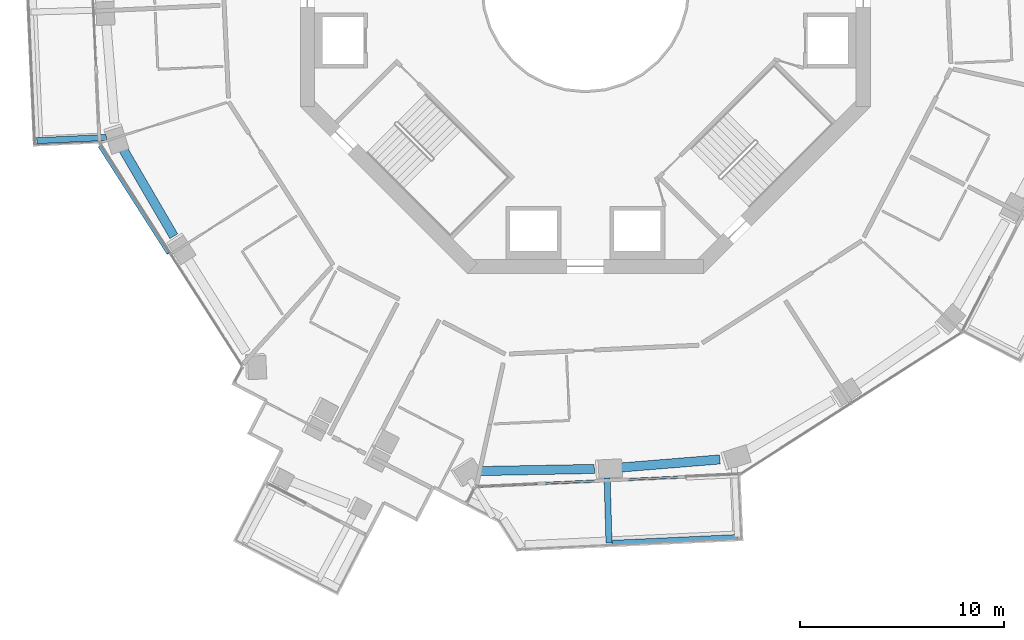
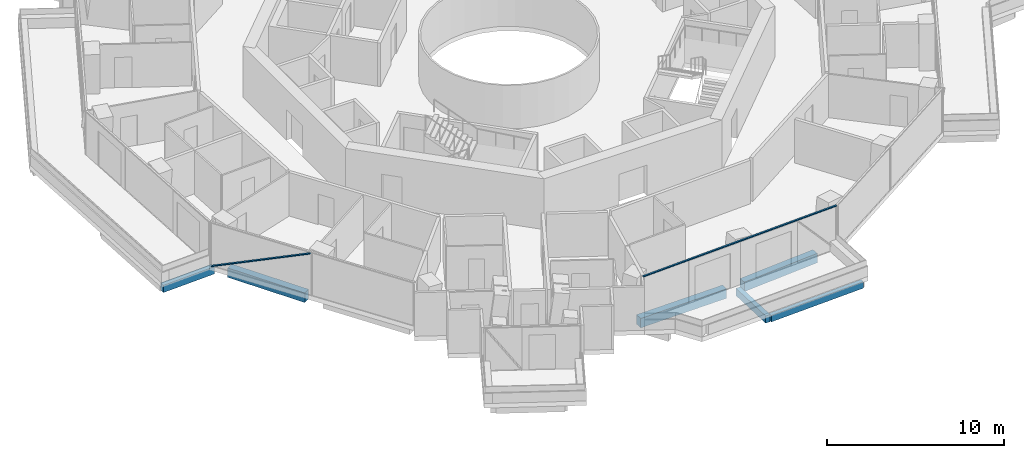
# One storey, part 3 of 22: 6 beams, 2 members, 2 elements without a shape of their own.
"""IFC4 building model written with IfcOpenShell, lengths in metres."""

from ifc_helpers import new_model, si_unit, direction, frame, origin, origin_2d, place, context, subcontext, project, spatial, rectangle, extrude, material, layer, layer_set, material_profile, profile_set, type_object, element, aggregate, save


model = new_model("IFC4")

# Units and contexts
model_context = context("Model", 3, precision=1e-05, world=origin(), true_north=direction((0.0, 1.0)))
body_context = subcontext(model_context, "Body", "Model", "MODEL_VIEW")
ifc_project = project(units=[si_unit("LENGTHUNIT", "METRE"), si_unit("AREAUNIT", "SQUARE_METRE"), si_unit("VOLUMEUNIT", "CUBIC_METRE"), si_unit("PLANEANGLEUNIT", "RADIAN"), si_unit("MASSUNIT", "GRAM", prefix="KILO")], contexts=[model_context])

# Site, building, storey
site_placement = place(None, origin())
site = spatial("IfcSite", under=ifc_project, at=site_placement, CompositionType="ELEMENT")
building_placement = place(site_placement, origin())
building = spatial("IfcBuilding", under=site, at=building_placement, Name="Verdalira Terraces Hotel", CompositionType="ELEMENT")
storey_placement = place(building_placement, frame((0.0, 0.0, 165.5)))
storey = spatial("IfcBuildingStorey", under=building, at=storey_placement, Name="L40", CompositionType="ELEMENT", Elevation=165.5)

# Beams
ifc_material_1 = material(Name="Concrete C40", Category="concrete")
ifc_material_profile_1 = material_profile(ifc_material_1, rectangle(XDim=0.300049, YDim=0.5, at=origin_2d()), Name="RC 300X500")
ifc_profile_set_1 = profile_set([ifc_material_profile_1], Name="Concrete C40")
beam_type_1 = type_object("IfcBeamType", Name="Balcony cantilever beam RC 300X500 C40", PredefinedType="BEAM", material=ifc_profile_set_1)
beam_1_placement = place(storey_placement, frame((-23.529053, -7.318359, -0.560059), z_axis=(-0.998940959, -0.04601044, 0.0), x_axis=(0.04601044, -0.998940959, 0.0)))
element("IfcBeam", 1, at=beam_1_placement, inside=storey, type_object=beam_type_1, Name="Balcony cantilever beam R11-2", PredefinedType="BEAM", context=body_context, shape_type="SweptSolid", body=[
    extrude(rectangle(XDim=0.300049, YDim=0.5, at=origin_2d()), origin(), (0.0, 0.0, 1.0), 3.417236),
])
beam_2_placement = place(storey_placement, frame((1.065674, -24.034424, -0.560059), z_axis=(0.029289222, -0.999570979, 0.0), x_axis=(0.999570979, 0.029289222, 0.0)))
element("IfcBeam", 2, at=beam_2_placement, inside=storey, type_object=beam_type_1, Name="Balcony cantilever beam R24-1", PredefinedType="BEAM", context=body_context, shape_type="SweptSolid", body=[
    extrude(rectangle(XDim=0.300049, YDim=0.5, at=origin_2d()), origin(), (0.0, 0.0, 1.0), 3.200928),
])
ifc_material_2 = material(Name="Concrete C40", Category="concrete")
ifc_material_profile_2 = material_profile(ifc_material_2, rectangle(XDim=0.25, YDim=0.449951, at=origin_2d()), Name="RC 250X450")
ifc_profile_set_2 = profile_set([ifc_material_profile_2], Name="Concrete C40")
beam_type_2 = type_object("IfcBeamType", Name="Balcony edge beam RC 250X450 C40", PredefinedType="BEAM", material=ifc_profile_set_2)
beam_3_placement = place(storey_placement, frame((1.309326, -27.226807, -0.534912), z_axis=(0.998939718, 0.046037369, 0.0), x_axis=(-0.046037369, 0.998939718, 0.0)))
element("IfcBeam", 3, at=beam_3_placement, inside=storey, type_object=beam_type_2, Name="Balcony edge beam R24-1", PredefinedType="BEAM", context=body_context, shape_type="SweptSolid", body=[
    extrude(rectangle(XDim=0.25, YDim=0.449951, at=origin_2d()), origin(), (0.0, 0.0, 1.0), 6.172852),
])

# Curtain wall, member
ifc_material_3 = material(Name="Clear glass", Category="glass")
ifc_layer = layer(ifc_material_3, 0.14990234375)
ifc_layer_set = layer_set([ifc_layer], Name="CW1 curtain wall")
curtain_wall_type = type_object("IfcCurtainWallType", Name="CW1 curtain wall", PredefinedType="NOTDEFINED", material=ifc_layer_set)
curtain_wall_1_placement = place(storey_placement, origin())
curtain_wall_1 = element("IfcCurtainWall", 4, at=curtain_wall_1_placement, inside=storey, type_object=curtain_wall_type, Name="CW1 curtain wall L40 edge 25", PredefinedType="NOTDEFINED")
ifc_material_4 = material(Name="Terracotta frame", Category="masonry")
ifc_material_profile_3 = material_profile(ifc_material_4, rectangle(XDim=0.110107, YDim=0.064941, at=origin_2d()), Name="TR 65x110")
ifc_profile_set_3 = profile_set([ifc_material_profile_3], Name="Terracotta frame")
member_type_1 = type_object("IfcMemberType", Name="CW1 transom 65x110", PredefinedType="USERDEFINED", material=ifc_profile_set_3)
member_1_placement = place(storey_placement, frame((-5.37915, -24.457031, 2.967529), z_axis=(0.998938691, 0.046059651, 0.0), x_axis=(-0.046059651, 0.998938691, 0.0)))
member_1 = element("IfcMember", 5, at=member_1_placement, type_object=member_type_1, Name="CW1 transom", ObjectType="TRANSOM", PredefinedType="USERDEFINED", context=body_context, shape_type="SweptSolid", body=[
    extrude(rectangle(XDim=0.110107, YDim=0.064941, at=origin_2d()), origin(), (0.0, 0.0, 1.0), 12.959717),
])
aggregate(curtain_wall_1, [member_1])

curtain_wall_2_placement = place(storey_placement, origin())
curtain_wall_2 = element("IfcCurtainWall", 6, at=curtain_wall_2_placement, inside=storey, type_object=curtain_wall_type, Name="CW1 curtain wall L40 edge 13", PredefinedType="NOTDEFINED")
ifc_material_5 = material(Name="Terracotta frame", Category="masonry")
ifc_material_profile_4 = material_profile(ifc_material_5, rectangle(XDim=0.149902, YDim=0.060059, at=origin_2d()), Name="GB 60x150")
ifc_profile_set_4 = profile_set([ifc_material_profile_4], Name="Terracotta frame")
member_type_2 = type_object("IfcMemberType", Name="Diagonal glazing bar 60x150", PredefinedType="USERDEFINED", material=ifc_profile_set_4)
member_2_placement = place(storey_placement, frame((-23.858154, -7.753662, 0.028076), z_axis=(0.489857367, -0.764792165, 0.418488595), x_axis=(0.84207619, 0.539358592, 0.0)))
member_2 = element("IfcMember", 7, at=member_2_placement, type_object=member_type_2, Name="Diagonal glazing bar", ObjectType="GLAZING BAR", PredefinedType="USERDEFINED", context=body_context, shape_type="SweptSolid", body=[
    extrude(rectangle(XDim=0.149902, YDim=0.060059, at=origin_2d()), origin(), (0.0, 0.0, 1.0), 6.879395),
])
aggregate(curtain_wall_2, [member_2])

# Beams
ifc_material_6 = material(Name="Concrete C50", Category="concrete")
ifc_material_profile_5 = material_profile(ifc_material_6, rectangle(XDim=0.449951, YDim=0.649902, at=origin_2d()), Name="RC 450X650")
ifc_profile_set_5 = profile_set([ifc_material_profile_5], Name="Concrete C50")
beam_type_3 = type_object("IfcBeamType", Name="Spandrel beam RC 450X650 C50", PredefinedType="SPANDREL", material=ifc_profile_set_5)
beam_4_placement = place(storey_placement, frame((-22.741699, -7.834961, -0.63501), z_axis=(0.504070772, -0.863662351, 0.0), x_axis=(0.863662351, 0.504070772, 0.0)))
element("IfcBeam", 8, at=beam_4_placement, inside=storey, type_object=beam_type_3, Name="Spandrel beam B06", PredefinedType="SPANDREL", context=body_context, shape_type="SweptSolid", body=[
    extrude(rectangle(XDim=0.449951, YDim=0.649902, at=origin_2d()), origin(), (0.0, 0.0, 1.0), 5.015381),
])
beam_5_placement = place(storey_placement, frame((-5.234619, -23.702637, -0.63501), z_axis=(0.999825478, 0.01868189, 0.0), x_axis=(-0.01868189, 0.999825478, 0.0)))
element("IfcBeam", 9, at=beam_5_placement, inside=storey, type_object=beam_type_3, Name="Spandrel beam B09", PredefinedType="SPANDREL", context=body_context, shape_type="SweptSolid", body=[
    extrude(rectangle(XDim=0.449951, YDim=0.649902, at=origin_2d()), origin(), (0.0, 0.0, 1.0), 5.671631),
])
beam_6_placement = place(storey_placement, frame((1.611328, -23.537354, -0.63501), z_axis=(0.99669396, 0.08124746, 0.0), x_axis=(-0.08124746, 0.99669396, 0.0)))
element("IfcBeam", 10, at=beam_6_placement, inside=storey, type_object=beam_type_3, Name="Spandrel beam B10", PredefinedType="SPANDREL", context=body_context, shape_type="SweptSolid", body=[
    extrude(rectangle(XDim=0.449951, YDim=0.649902, at=origin_2d()), origin(), (0.0, 0.0, 1.0), 5.012207),
])

save(model, "model.ifc")
